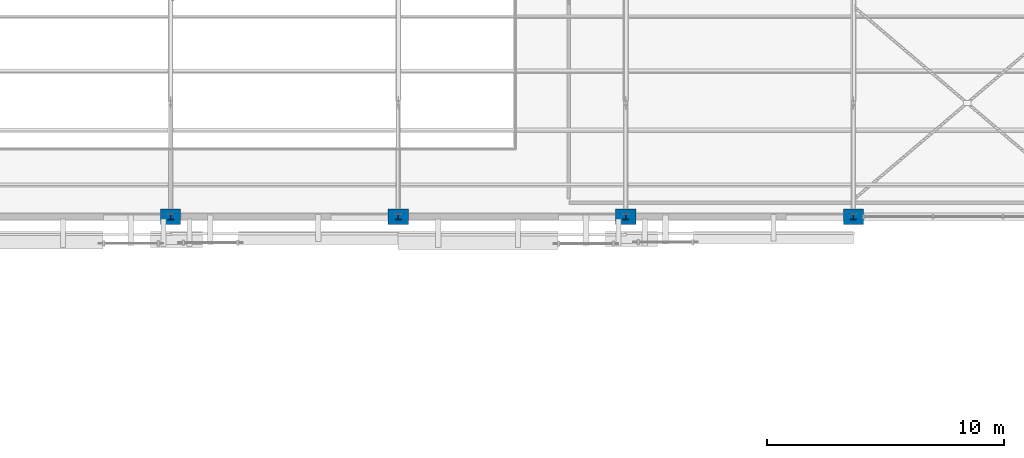
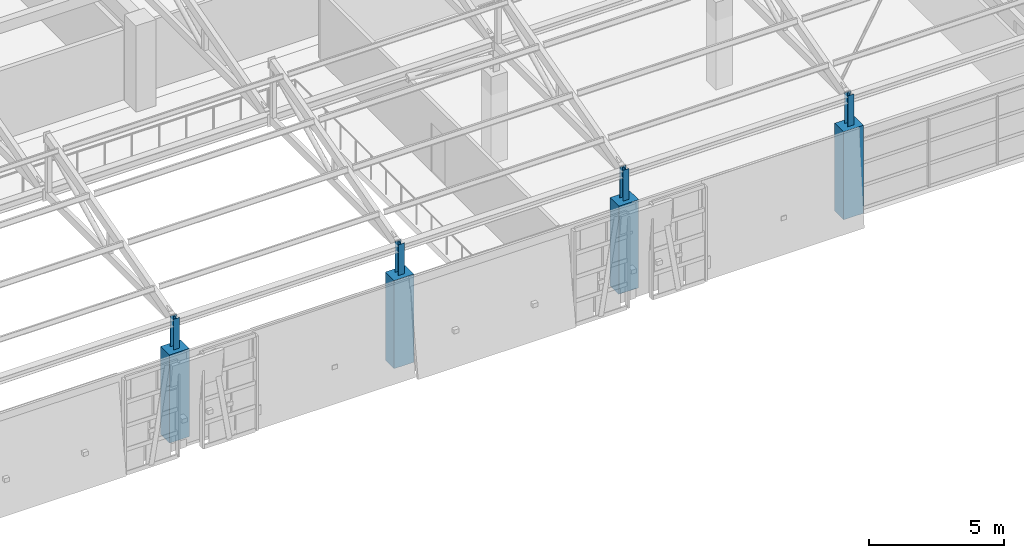
# One storey, part 3 of 58: 8 columns.
"""IFC4 building model written with IfcOpenShell, lengths in metres."""

from ifc_helpers import new_model, si_unit, direction, frame, origin, origin_2d, place, context, subcontext, project, spatial, rectangle, i_section, extrude, material, material_profile, profile_set, type_object, element, save


model = new_model("IFC4")

# Units and contexts
model_context = context("Model", 3, precision=1e-05, world=origin(), true_north=direction((0.0, 1.0)))
body_context = subcontext(model_context, "Body", "Model", "MODEL_VIEW")
ifc_project = project(units=[si_unit("LENGTHUNIT", "METRE"), si_unit("AREAUNIT", "SQUARE_METRE"), si_unit("VOLUMEUNIT", "CUBIC_METRE"), si_unit("PLANEANGLEUNIT", "RADIAN"), si_unit("MASSUNIT", "GRAM", prefix="KILO")], contexts=[model_context])

# Site, building, storey
site_placement = place(None, origin())
site = spatial("IfcSite", under=ifc_project, at=site_placement, CompositionType="ELEMENT")
building_placement = place(site_placement, origin())
building = spatial("IfcBuilding", under=site, at=building_placement, Name="Bempovik Park Faculty of Sciences", CompositionType="ELEMENT")
storey_placement = place(building_placement, frame((0.0, 0.0, 18.300048828125)))
storey = spatial("IfcBuildingStorey", under=building, at=storey_placement, Name="L04", CompositionType="ELEMENT", Elevation=18.300048828125)

# Columns
ifc_material_1 = material(Name="Concrete C40/50", Category="concrete")
ifc_material_profile_1 = material_profile(ifc_material_1, rectangle(XDim=0.85009765625, YDim=0.64990234375, at=origin_2d()), Name="RC 850x650")
ifc_profile_set_1 = profile_set([ifc_material_profile_1], Name="Concrete C40/50")
column_type_1 = type_object("IfcColumnType", Name="C-71 RC 850x650", PredefinedType="COLUMN", material=ifc_profile_set_1)
for number, where, z_axis, x_axis, name in (
    (1, (88.800048828125, 67.800048828125, 0.0), (0.0, 0.0, 1.0), (1.0, 0.0, 0.0), "L04 Structural Column (88.8,67.8)"),
    (2, (98.39990234375, 67.800048828125, 0.0), (0.0, 0.0, 1.0), (1.0, 0.0, 0.0), "L04 Structural Column (98.4,67.8)"),
    (3, (108.0, 67.800048828125, 0.0), (0.0, 0.0, 1.0), (1.0, 0.0, 0.0), "L04 Structural Column (108.0,67.8)"),
    (4, (117.60009765625, 67.800048828125, 0.0), (0.0, 0.0, 1.0), (1.0, 0.0, 0.0), "L04 Structural Column (117.6,67.8)"),
):
    element("IfcColumn", number, at=place(storey_placement, frame(where, z_axis=z_axis, x_axis=x_axis)), inside=storey, type_object=column_type_1, Name=name, PredefinedType="COLUMN", context=body_context, shape_type="SweptSolid", body=[
        extrude(rectangle(XDim=0.85009765625, YDim=0.64990234375, at=origin_2d()), origin(), (0.0, 0.0, 1.0), 3.97998046875),
    ])
ifc_material_2 = material(Name="Steel S355", Category="steel")
ifc_material_profile_2 = material_profile(ifc_material_2, i_section(OverallWidth=0.260009765625, OverallDepth=0.260009765625, WebThickness=0.010009765625, FlangeThickness=0.017578125, at=origin_2d()), Name="HEB 260")
ifc_profile_set_2 = profile_set([ifc_material_profile_2], Name="Steel S355")
column_type_2 = type_object("IfcColumnType", Name="C-80 HEB 260", PredefinedType="COLUMN", material=ifc_profile_set_2)
for number, where, z_axis, x_axis, name in (
    (5, (88.800048828125, 67.800048828125, 3.98583984375), (0.0, 0.0, 1.0), (1.0, 0.0, 0.0), "Sawtooth Clerestory Steel Column V2 (88.8,67.8)"),
    (6, (98.39990234375, 67.800048828125, 3.98583984375), (0.0, 0.0, 1.0), (1.0, 0.0, 0.0), "Sawtooth Clerestory Steel Column V2 (98.4,67.8)"),
    (7, (108.0, 67.800048828125, 3.98583984375), (0.0, 0.0, 1.0), (1.0, 0.0, 0.0), "Sawtooth Clerestory Steel Column V2 (108.0,67.8)"),
    (8, (117.60009765625, 67.800048828125, 3.98583984375), (0.0, 0.0, 1.0), (1.0, 0.0, 0.0), "Sawtooth Clerestory Steel Column V2 (117.6,67.8)"),
):
    element("IfcColumn", number, at=place(storey_placement, frame(where, z_axis=z_axis, x_axis=x_axis)), inside=storey, type_object=column_type_2, Name=name, PredefinedType="COLUMN", context=body_context, shape_type="SweptSolid", body=[
        extrude(i_section(OverallWidth=0.260009765625, OverallDepth=0.260009765625, WebThickness=0.010009765625, FlangeThickness=0.017578125, at=origin_2d()), origin(), (0.0, 0.0, 1.0), 1.38916015625),
    ])

save(model, "model.ifc")
